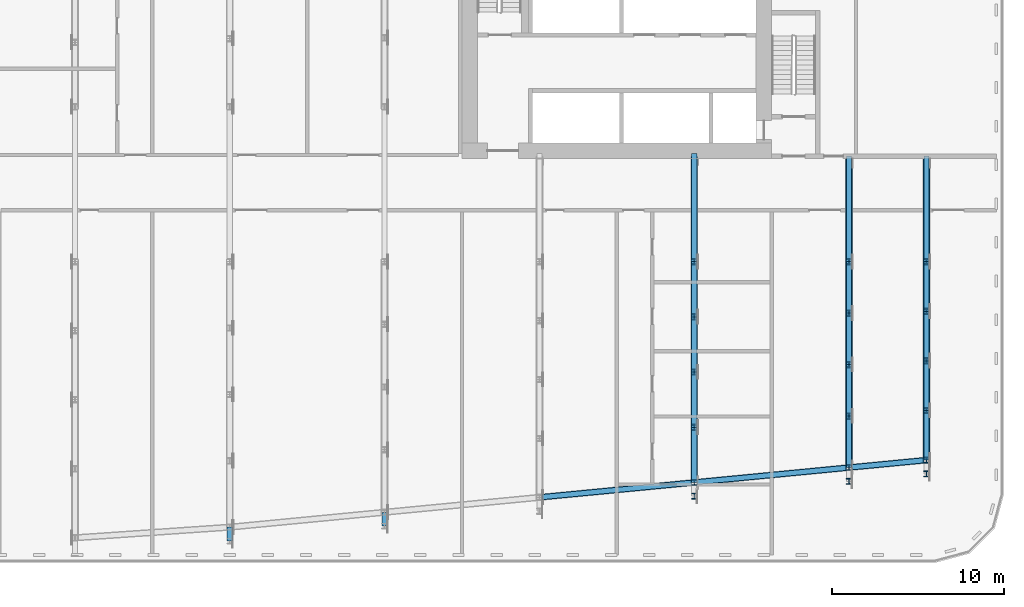
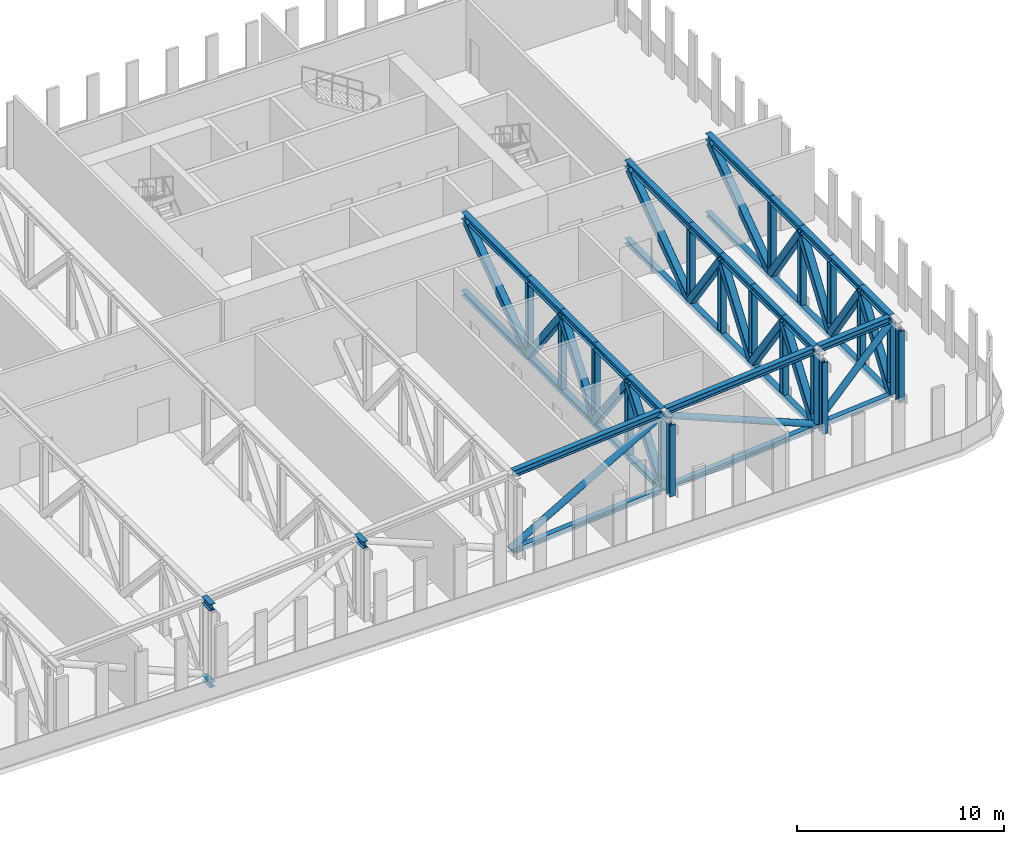
# One storey, part 4 of 22: 75 members.
"""IFC4 building model written with IfcOpenShell, lengths in metres."""

from ifc_helpers import new_model, si_unit, direction, frame, origin, origin_2d, place, context, subcontext, project, spatial, hollow_rectangle, hollow_circle, i_section, extrude, material, material_profile, profile_set, type_object, element, save


model = new_model("IFC4")

# Units and contexts
model_context = context("Model", 3, precision=1e-05, world=origin(), true_north=direction((0.0, 1.0)))
body_context = subcontext(model_context, "Body", "Model", "MODEL_VIEW")
ifc_project = project(units=[si_unit("LENGTHUNIT", "METRE"), si_unit("AREAUNIT", "SQUARE_METRE"), si_unit("VOLUMEUNIT", "CUBIC_METRE"), si_unit("PLANEANGLEUNIT", "RADIAN"), si_unit("MASSUNIT", "GRAM", prefix="KILO")], contexts=[model_context])

# Site, building, storey
site_placement = place(None, origin())
site = spatial("IfcSite", under=ifc_project, at=site_placement, CompositionType="ELEMENT")
building_placement = place(site_placement, origin())
building = spatial("IfcBuilding", under=site, at=building_placement, Name="Kajstack Hotel Tower", CompositionType="ELEMENT")
storey_placement = place(building_placement, frame((0.0, 0.0, 99.60009765625)))
storey = spatial("IfcBuildingStorey", under=building, at=storey_placement, Name="L21", CompositionType="ELEMENT", Elevation=99.60009765625)

# Members
ifc_material = material(Name="Steel S355J2", Category="steel")
ifc_material_profile_1 = material_profile(ifc_material, i_section(OverallWidth=0.300048828125, OverallDepth=0.300048828125, WebThickness=0.010986328125, FlangeThickness=0.01904296875, FilletRadius=0.027099609375, at=origin_2d()), Name="HEB 300")
ifc_profile_set_1 = profile_set([ifc_material_profile_1], Name="Steel S355J2")
member_type_1 = type_object("IfcMemberType", Name="Belt truss bottom chord BB2 HEB 300", PredefinedType="CHORD", material=ifc_profile_set_1)
for number, where, z_axis, x_axis, name in (
    (1, (18.1494140625, -18.184814453125, -0.150146484375), (0.995398174412, 0.095825228294, 0.0), (-0.095825228294, 0.995398174412, 0.0), "S-belt-truss-L21-s07-b"),
    (2, (27.1494140625, -17.318359375, -0.150146484375), (0.995395510024, 0.095852900965, 0.0), (-0.095852900965, 0.995395510024, 0.0), "S-belt-truss-L21-s08-b"),
):
    element("IfcMember", number, at=place(storey_placement, frame(where, z_axis=z_axis, x_axis=x_axis)), inside=storey, type_object=member_type_1, Name=name, PredefinedType="CHORD", context=body_context, shape_type="SweptSolid", body=[
        extrude(i_section(OverallWidth=0.300048828125, OverallDepth=0.300048828125, WebThickness=0.010986328125, FlangeThickness=0.01904296875, FilletRadius=0.027099609375, at=origin_2d()), origin(), (0.0, 0.0, 1.0), 8.741455078125),
    ])
member_1_placement = place(storey_placement, frame((36.1494140625, -16.45166015625, -0.150146484375), z_axis=(0.995395877955, 0.095849080066, 0.0), x_axis=(-0.095849080066, 0.995395877955, 0.0)))
element("IfcMember", 3, at=member_1_placement, inside=storey, type_object=member_type_1, Name="S-belt-truss-L21-s09-b", PredefinedType="CHORD", context=body_context, shape_type="SweptSolid", body=[
    extrude(i_section(OverallWidth=0.300048828125, OverallDepth=0.300048828125, WebThickness=0.010986328125, FlangeThickness=0.01904296875, FilletRadius=0.027099609375, at=origin_2d()), origin(), (0.0, 0.0, 1.0), 4.220703125),
])
ifc_material_profile_2 = material_profile(ifc_material, i_section(OverallWidth=0.300048828125, OverallDepth=0.300048828125, WebThickness=0.010986328125, FlangeThickness=0.01904296875, FilletRadius=0.027099609375, at=origin_2d()), Name="HEB 300")
ifc_profile_set_2 = profile_set([ifc_material_profile_2], Name="Steel S355J2")
member_type_2 = type_object("IfcMemberType", Name="Belt truss bottom chord BC2 HEB 300", PredefinedType="CHORD", material=ifc_profile_set_2)
member_2_placement = place(storey_placement, frame((0.0, -20.732421875, -0.150146484375), z_axis=(0.0, 1.0, 0.0), x_axis=(-1.0, 0.0, 0.0)))
element("IfcMember", 4, at=member_2_placement, inside=storey, type_object=member_type_2, Name="S-belt-truss-L21-+0p0-1-bc12", PredefinedType="CHORD", context=body_context, shape_type="SweptSolid", body=[
    extrude(i_section(OverallWidth=0.300048828125, OverallDepth=0.300048828125, WebThickness=0.010986328125, FlangeThickness=0.01904296875, FilletRadius=0.027099609375, at=origin_2d()), origin(), (0.0, 0.0, 1.0), 0.7998046875),
])
for number, where, z_axis, x_axis, name in (
    (5, (27.0, -17.332763671875, -0.150146484375), (0.0, 1.0, 0.0), (-1.0, 0.0, 0.0), "S-outrigger-truss-L21-+27p0-1-bc8"),
    (6, (27.0, -14.12451171875, -0.150146484375), (0.0, 1.0, 0.0), (-1.0, 0.0, 0.0), "S-outrigger-truss-L21-+27p0-1-bc9"),
):
    element("IfcMember", number, at=place(storey_placement, frame(where, z_axis=z_axis, x_axis=x_axis)), inside=storey, type_object=member_type_2, Name=name, PredefinedType="CHORD", context=body_context, shape_type="SweptSolid", body=[
        extrude(i_section(OverallWidth=0.300048828125, OverallDepth=0.300048828125, WebThickness=0.010986328125, FlangeThickness=0.01904296875, FilletRadius=0.027099609375, at=origin_2d()), origin(), (0.0, 0.0, 1.0), 3.208251953125),
    ])
member_3_placement = place(storey_placement, frame((27.0, -10.916259765625, -0.150146484375), z_axis=(0.0, 1.0, 0.0), x_axis=(-1.0, 0.0, 0.0)))
element("IfcMember", 7, at=member_3_placement, inside=storey, type_object=member_type_2, Name="S-outrigger-truss-L21-+27p0-1-bc10", PredefinedType="CHORD", context=body_context, shape_type="SweptSolid", body=[
    extrude(i_section(OverallWidth=0.300048828125, OverallDepth=0.300048828125, WebThickness=0.010986328125, FlangeThickness=0.01904296875, FilletRadius=0.027099609375, at=origin_2d()), origin(), (0.0, 0.0, 1.0), 3.2080078125),
])
member_4_placement = place(storey_placement, frame((27.0, -7.708251953125, -0.150146484375), z_axis=(0.0, 1.0, 0.0), x_axis=(-1.0, 0.0, 0.0)))
element("IfcMember", 8, at=member_4_placement, inside=storey, type_object=member_type_2, Name="S-outrigger-truss-L21-+27p0-1-bc11", PredefinedType="CHORD", context=body_context, shape_type="SweptSolid", body=[
    extrude(i_section(OverallWidth=0.300048828125, OverallDepth=0.300048828125, WebThickness=0.010986328125, FlangeThickness=0.01904296875, FilletRadius=0.027099609375, at=origin_2d()), origin(), (0.0, 0.0, 1.0), 3.208251953125),
])
member_5_placement = place(storey_placement, frame((27.0, -4.5, -0.150146484375), z_axis=(0.0, 1.0, 0.0), x_axis=(-1.0, 0.0, 0.0)))
element("IfcMember", 9, at=member_5_placement, inside=storey, type_object=member_type_2, Name="S-outrigger-truss-L21-+27p0-1-bc12", PredefinedType="CHORD", context=body_context, shape_type="SweptSolid", body=[
    extrude(i_section(OverallWidth=0.300048828125, OverallDepth=0.300048828125, WebThickness=0.010986328125, FlangeThickness=0.01904296875, FilletRadius=0.027099609375, at=origin_2d()), origin(), (0.0, 0.0, 1.0), 6.300048828125),
])
for number, where, z_axis, x_axis, name in (
    (10, (36.0, -16.466064453125, -0.150146484375), (0.0, 1.0, 0.0), (-1.0, 0.0, 0.0), "S-belt-truss-L21-+36p0-1-bc8"),
    (11, (36.0, -13.474609375, -0.150146484375), (0.0, 1.0, 0.0), (-1.0, 0.0, 0.0), "S-belt-truss-L21-+36p0-1-bc9"),
):
    element("IfcMember", number, at=place(storey_placement, frame(where, z_axis=z_axis, x_axis=x_axis)), inside=storey, type_object=member_type_2, Name=name, PredefinedType="CHORD", context=body_context, shape_type="SweptSolid", body=[
        extrude(i_section(OverallWidth=0.300048828125, OverallDepth=0.300048828125, WebThickness=0.010986328125, FlangeThickness=0.01904296875, FilletRadius=0.027099609375, at=origin_2d()), origin(), (0.0, 0.0, 1.0), 2.991455078125),
    ])
member_6_placement = place(storey_placement, frame((36.0, -10.483154296875, -0.150146484375), z_axis=(0.0, 1.0, 0.0), x_axis=(-1.0, 0.0, 0.0)))
element("IfcMember", 12, at=member_6_placement, inside=storey, type_object=member_type_2, Name="S-belt-truss-L21-+36p0-1-bc10", PredefinedType="CHORD", context=body_context, shape_type="SweptSolid", body=[
    extrude(i_section(OverallWidth=0.300048828125, OverallDepth=0.300048828125, WebThickness=0.010986328125, FlangeThickness=0.01904296875, FilletRadius=0.027099609375, at=origin_2d()), origin(), (0.0, 0.0, 1.0), 2.99169921875),
])
member_7_placement = place(storey_placement, frame((36.0, -7.491455078125, -0.150146484375), z_axis=(0.0, 1.0, 0.0), x_axis=(-1.0, 0.0, 0.0)))
element("IfcMember", 13, at=member_7_placement, inside=storey, type_object=member_type_2, Name="S-belt-truss-L21-+36p0-1-bc11", PredefinedType="CHORD", context=body_context, shape_type="SweptSolid", body=[
    extrude(i_section(OverallWidth=0.300048828125, OverallDepth=0.300048828125, WebThickness=0.010986328125, FlangeThickness=0.01904296875, FilletRadius=0.027099609375, at=origin_2d()), origin(), (0.0, 0.0, 1.0), 2.991455078125),
])
member_8_placement = place(storey_placement, frame((36.0, -4.5, -0.150146484375), z_axis=(0.0, 1.0, 0.0), x_axis=(-1.0, 0.0, 0.0)))
element("IfcMember", 14, at=member_8_placement, inside=storey, type_object=member_type_2, Name="S-belt-truss-L21-+36p0-1-bc12", PredefinedType="CHORD", context=body_context, shape_type="SweptSolid", body=[
    extrude(i_section(OverallWidth=0.300048828125, OverallDepth=0.300048828125, WebThickness=0.010986328125, FlangeThickness=0.01904296875, FilletRadius=0.027099609375, at=origin_2d()), origin(), (0.0, 0.0, 1.0), 6.14990234375),
])
member_9_placement = place(storey_placement, frame((40.5, -16.03271484375, -0.150146484375), z_axis=(0.0, 1.0, 0.0), x_axis=(-1.0, 0.0, 0.0)))
element("IfcMember", 15, at=member_9_placement, inside=storey, type_object=member_type_2, Name="S-belt-truss-L21-+40p5-1-bc8", PredefinedType="CHORD", context=body_context, shape_type="SweptSolid", body=[
    extrude(i_section(OverallWidth=0.300048828125, OverallDepth=0.300048828125, WebThickness=0.010986328125, FlangeThickness=0.01904296875, FilletRadius=0.027099609375, at=origin_2d()), origin(), (0.0, 0.0, 1.0), 2.883056640625),
])
member_10_placement = place(storey_placement, frame((40.5, -13.149658203125, -0.150146484375), z_axis=(0.0, 1.0, 0.0), x_axis=(-1.0, 0.0, 0.0)))
element("IfcMember", 16, at=member_10_placement, inside=storey, type_object=member_type_2, Name="S-belt-truss-L21-+40p5-1-bc9", PredefinedType="CHORD", context=body_context, shape_type="SweptSolid", body=[
    extrude(i_section(OverallWidth=0.300048828125, OverallDepth=0.300048828125, WebThickness=0.010986328125, FlangeThickness=0.01904296875, FilletRadius=0.027099609375, at=origin_2d()), origin(), (0.0, 0.0, 1.0), 2.88330078125),
])
member_11_placement = place(storey_placement, frame((40.5, -10.266357421875, -0.150146484375), z_axis=(0.0, 1.0, 0.0), x_axis=(-1.0, 0.0, 0.0)))
element("IfcMember", 17, at=member_11_placement, inside=storey, type_object=member_type_2, Name="S-belt-truss-L21-+40p5-1-bc10", PredefinedType="CHORD", context=body_context, shape_type="SweptSolid", body=[
    extrude(i_section(OverallWidth=0.300048828125, OverallDepth=0.300048828125, WebThickness=0.010986328125, FlangeThickness=0.01904296875, FilletRadius=0.027099609375, at=origin_2d()), origin(), (0.0, 0.0, 1.0), 2.883056640625),
])
member_12_placement = place(storey_placement, frame((40.5, -7.38330078125, -0.150146484375), z_axis=(0.0, 1.0, 0.0), x_axis=(-1.0, 0.0, 0.0)))
element("IfcMember", 18, at=member_12_placement, inside=storey, type_object=member_type_2, Name="S-belt-truss-L21-+40p5-1-bc11", PredefinedType="CHORD", context=body_context, shape_type="SweptSolid", body=[
    extrude(i_section(OverallWidth=0.300048828125, OverallDepth=0.300048828125, WebThickness=0.010986328125, FlangeThickness=0.01904296875, FilletRadius=0.027099609375, at=origin_2d()), origin(), (0.0, 0.0, 1.0), 2.88330078125),
])
member_13_placement = place(storey_placement, frame((40.5, -4.5, -0.150146484375), z_axis=(0.0, 1.0, 0.0), x_axis=(-1.0, 0.0, 0.0)))
element("IfcMember", 19, at=member_13_placement, inside=storey, type_object=member_type_2, Name="S-belt-truss-L21-+40p5-1-bc12", PredefinedType="CHORD", context=body_context, shape_type="SweptSolid", body=[
    extrude(i_section(OverallWidth=0.300048828125, OverallDepth=0.300048828125, WebThickness=0.010986328125, FlangeThickness=0.01904296875, FilletRadius=0.027099609375, at=origin_2d()), origin(), (0.0, 0.0, 1.0), 6.14990234375),
])
ifc_material_profile_3 = material_profile(ifc_material, hollow_circle(Radius=0.177734375, WallThickness=0.01611328125, at=origin_2d()), Name="CHS 355.6x16")
ifc_profile_set_3 = profile_set([ifc_material_profile_3], Name="Steel S355J2")
member_type_3 = type_object("IfcMemberType", Name="Belt truss diagonal BD2 CHS 355.6x16", PredefinedType="BRACE", material=ifc_profile_set_3)
for number, where, z_axis, x_axis, name in (
    (20, (18.0, -18.19921875, 0.0), (0.902374040781, 0.086874063334, 0.422106606967), (-0.095829714309, 0.995397742541, 0.0), "S-belt-truss-L21-s07-d"),
    (21, (36.0, -16.466064453125, 0.0), (-0.902372121579, -0.086898356977, 0.422105709215), (0.095856468129, -0.995395166513, 0.0), "S-belt-truss-L21-s08-d"),
):
    element("IfcMember", number, at=place(storey_placement, frame(where, z_axis=z_axis, x_axis=x_axis)), inside=storey, type_object=member_type_3, Name=name, PredefinedType="BRACE", context=body_context, shape_type="SweptSolid", body=[
        extrude(hollow_circle(Radius=0.177734375, WallThickness=0.01611328125, at=origin_2d()), origin(), (0.0, 0.0, 1.0), 9.9736328125),
    ])
member_14_placement = place(storey_placement, frame((36.0, -16.466064453125, 0.0), z_axis=(0.728449478794, 0.070149621574, 0.681498633481), x_axis=(-0.095856468129, 0.995395166513, 0.0)))
element("IfcMember", 22, at=member_14_placement, inside=storey, type_object=member_type_3, Name="S-belt-truss-L21-s09-d", PredefinedType="BRACE", context=body_context, shape_type="SweptSolid", body=[
    extrude(hollow_circle(Radius=0.177734375, WallThickness=0.01611328125, at=origin_2d()), origin(), (0.0, 0.0, 1.0), 6.177490234375),
])
ifc_material_profile_4 = material_profile(ifc_material, hollow_rectangle(XDim=0.39990234375, YDim=0.39990234375, WallThickness=0.02001953125, InnerFilletRadius=0.02001953125, OuterFilletRadius=0.030029296875, at=origin_2d()), Name="SHS 400x400x20")
ifc_profile_set_4 = profile_set([ifc_material_profile_4], Name="Steel S355J2")
member_type_4 = type_object("IfcMemberType", Name="Belt truss diagonal DG2 SHS 400x400x20", PredefinedType="BRACE", material=ifc_profile_set_4)
for number, where, z_axis, x_axis, name in (
    (23, (27.0, -17.332763671875, 0.0), (0.0, 0.606122424683, 0.795371363765), (-1.0, 0.0, 0.0), "S-outrigger-truss-L21-+27p0-1-dg19"),
    (24, (27.0, -10.916259765625, 0.0), (0.0, -0.606122424683, 0.795371363765), (1.0, 0.0, 0.0), "S-outrigger-truss-L21-+27p0-1-dg20"),
    (25, (27.0, -10.916259765625, 0.0), (0.0, 0.606093244363, 0.795393600136), (-1.0, 0.0, 0.0), "S-outrigger-truss-L21-+27p0-1-dg21"),
    (26, (27.0, -4.5, 0.0), (0.0, -0.606122424683, 0.795371363765), (1.0, 0.0, 0.0), "S-outrigger-truss-L21-+27p0-1-dg22"),
):
    element("IfcMember", number, at=place(storey_placement, frame(where, z_axis=z_axis, x_axis=x_axis)), inside=storey, type_object=member_type_4, Name=name, PredefinedType="BRACE", context=body_context, shape_type="SweptSolid", body=[
        extrude(hollow_rectangle(XDim=0.39990234375, YDim=0.39990234375, WallThickness=0.02001953125, InnerFilletRadius=0.02001953125, OuterFilletRadius=0.030029296875, at=origin_2d()), origin(), (0.0, 0.0, 1.0), 5.29296875),
    ])
member_15_placement = place(storey_placement, frame((27.0, -4.5, 0.0), z_axis=(0.0, 0.818592960078, 0.574374064274), x_axis=(-1.0, 0.0, 0.0)))
element("IfcMember", 27, at=member_15_placement, inside=storey, type_object=member_type_4, Name="S-outrigger-truss-L21-+27p0-1-dg23", PredefinedType="BRACE", context=body_context, shape_type="SweptSolid", body=[
    extrude(hollow_rectangle(XDim=0.39990234375, YDim=0.39990234375, WallThickness=0.02001953125, InnerFilletRadius=0.02001953125, OuterFilletRadius=0.030029296875, at=origin_2d()), origin(), (0.0, 0.0, 1.0), 7.32958984375),
])
for number, where, z_axis, x_axis, name in (
    (28, (36.0, -16.466064453125, 0.0), (0.0, 0.579228625372, 0.815165136368), (-1.0, 0.0, 0.0), "S-belt-truss-L21-+36p0-1-dg19"),
    (29, (36.0, -10.483154296875, 0.0), (0.0, -0.579228625372, 0.815165136368), (1.0, 0.0, 0.0), "S-belt-truss-L21-+36p0-1-dg20"),
):
    element("IfcMember", number, at=place(storey_placement, frame(where, z_axis=z_axis, x_axis=x_axis)), inside=storey, type_object=member_type_4, Name=name, PredefinedType="BRACE", context=body_context, shape_type="SweptSolid", body=[
        extrude(hollow_rectangle(XDim=0.39990234375, YDim=0.39990234375, WallThickness=0.02001953125, InnerFilletRadius=0.02001953125, OuterFilletRadius=0.030029296875, at=origin_2d()), origin(), (0.0, 0.0, 1.0), 5.16455078125),
    ])
member_16_placement = place(storey_placement, frame((36.0, -10.483154296875, 0.0), z_axis=(0.0, 0.579260036313, 0.815142815911), x_axis=(-1.0, 0.0, 0.0)))
element("IfcMember", 30, at=member_16_placement, inside=storey, type_object=member_type_4, Name="S-belt-truss-L21-+36p0-1-dg21", PredefinedType="BRACE", context=body_context, shape_type="SweptSolid", body=[
    extrude(hollow_rectangle(XDim=0.39990234375, YDim=0.39990234375, WallThickness=0.02001953125, InnerFilletRadius=0.02001953125, OuterFilletRadius=0.030029296875, at=origin_2d()), origin(), (0.0, 0.0, 1.0), 5.164794921875),
])
member_17_placement = place(storey_placement, frame((36.0, -4.5, 0.0), z_axis=(0.0, -0.579228625372, 0.815165136368), x_axis=(1.0, 0.0, 0.0)))
element("IfcMember", 31, at=member_17_placement, inside=storey, type_object=member_type_4, Name="S-belt-truss-L21-+36p0-1-dg22", PredefinedType="BRACE", context=body_context, shape_type="SweptSolid", body=[
    extrude(hollow_rectangle(XDim=0.39990234375, YDim=0.39990234375, WallThickness=0.02001953125, InnerFilletRadius=0.02001953125, OuterFilletRadius=0.030029296875, at=origin_2d()), origin(), (0.0, 0.0, 1.0), 5.16455078125),
])
member_18_placement = place(storey_placement, frame((36.0, -4.5, 0.0), z_axis=(0.0, 0.811673095765, 0.584111963249), x_axis=(-1.0, 0.0, 0.0)))
element("IfcMember", 32, at=member_18_placement, inside=storey, type_object=member_type_4, Name="S-belt-truss-L21-+36p0-1-dg23", PredefinedType="BRACE", context=body_context, shape_type="SweptSolid", body=[
    extrude(hollow_rectangle(XDim=0.39990234375, YDim=0.39990234375, WallThickness=0.02001953125, InnerFilletRadius=0.02001953125, OuterFilletRadius=0.030029296875, at=origin_2d()), origin(), (0.0, 0.0, 1.0), 7.20751953125),
])
member_19_placement = place(storey_placement, frame((40.5, -16.03271484375, 0.0), z_axis=(0.0, 0.565025205978, 0.825073643143), x_axis=(-1.0, 0.0, 0.0)))
element("IfcMember", 33, at=member_19_placement, inside=storey, type_object=member_type_4, Name="S-belt-truss-L21-+40p5-1-dg19", PredefinedType="BRACE", context=body_context, shape_type="SweptSolid", body=[
    extrude(hollow_rectangle(XDim=0.39990234375, YDim=0.39990234375, WallThickness=0.02001953125, InnerFilletRadius=0.02001953125, OuterFilletRadius=0.030029296875, at=origin_2d()), origin(), (0.0, 0.0, 1.0), 5.1025390625),
])
member_20_placement = place(storey_placement, frame((40.5, -10.266357421875, 0.0), z_axis=(0.0, -0.565057776334, 0.825051337435), x_axis=(1.0, 0.0, 0.0)))
element("IfcMember", 34, at=member_20_placement, inside=storey, type_object=member_type_4, Name="S-belt-truss-L21-+40p5-1-dg20", PredefinedType="BRACE", context=body_context, shape_type="SweptSolid", body=[
    extrude(hollow_rectangle(XDim=0.39990234375, YDim=0.39990234375, WallThickness=0.02001953125, InnerFilletRadius=0.02001953125, OuterFilletRadius=0.030029296875, at=origin_2d()), origin(), (0.0, 0.0, 1.0), 5.102783203125),
])
member_21_placement = place(storey_placement, frame((40.5, -10.266357421875, 0.0), z_axis=(0.0, 0.565025205978, 0.825073643143), x_axis=(-1.0, 0.0, 0.0)))
element("IfcMember", 35, at=member_21_placement, inside=storey, type_object=member_type_4, Name="S-belt-truss-L21-+40p5-1-dg21", PredefinedType="BRACE", context=body_context, shape_type="SweptSolid", body=[
    extrude(hollow_rectangle(XDim=0.39990234375, YDim=0.39990234375, WallThickness=0.02001953125, InnerFilletRadius=0.02001953125, OuterFilletRadius=0.030029296875, at=origin_2d()), origin(), (0.0, 0.0, 1.0), 5.1025390625),
])
member_22_placement = place(storey_placement, frame((40.5, -4.5, 0.0), z_axis=(0.0, -0.565057776334, 0.825051337435), x_axis=(1.0, 0.0, 0.0)))
element("IfcMember", 36, at=member_22_placement, inside=storey, type_object=member_type_4, Name="S-belt-truss-L21-+40p5-1-dg22", PredefinedType="BRACE", context=body_context, shape_type="SweptSolid", body=[
    extrude(hollow_rectangle(XDim=0.39990234375, YDim=0.39990234375, WallThickness=0.02001953125, InnerFilletRadius=0.02001953125, OuterFilletRadius=0.030029296875, at=origin_2d()), origin(), (0.0, 0.0, 1.0), 5.102783203125),
])
member_23_placement = place(storey_placement, frame((40.5, -4.5, 0.0), z_axis=(0.0, 0.811673095765, 0.584111963249), x_axis=(-1.0, 0.0, 0.0)))
element("IfcMember", 37, at=member_23_placement, inside=storey, type_object=member_type_4, Name="S-belt-truss-L21-+40p5-1-dg23", PredefinedType="BRACE", context=body_context, shape_type="SweptSolid", body=[
    extrude(hollow_rectangle(XDim=0.39990234375, YDim=0.39990234375, WallThickness=0.02001953125, InnerFilletRadius=0.02001953125, OuterFilletRadius=0.030029296875, at=origin_2d()), origin(), (0.0, 0.0, 1.0), 7.20751953125),
])
ifc_material_profile_5 = material_profile(ifc_material, i_section(OverallWidth=0.31005859375, OverallDepth=0.340087890625, WebThickness=0.02099609375, FlangeThickness=0.0390625, FilletRadius=0.027099609375, at=origin_2d()), Name="HEM 300")
ifc_profile_set_5 = profile_set([ifc_material_profile_5], Name="Steel S355J2")
member_type_5 = type_object("IfcMemberType", Name="Belt truss post PO2 HEM 300", PredefinedType="POST", material=ifc_profile_set_5)
for number, where, z_axis, x_axis, name in (
    (38, (27.0, -18.1328125, 0.0), (0.0, 0.0, 1.0), (1.0, 0.0, 0.0), "S-outrigger-truss-L21-+27p0-1-po13"),
    (39, (27.0, -17.332763671875, 0.0), (0.0, 0.0, 1.0), (1.0, 0.0, 0.0), "S-outrigger-truss-L21-+27p0-1-po14"),
    (40, (27.0, -14.12451171875, 0.0), (0.0, 0.0, 1.0), (1.0, 0.0, 0.0), "S-outrigger-truss-L21-+27p0-1-po15"),
    (41, (27.0, -10.916259765625, 0.0), (0.0, 0.0, 1.0), (1.0, 0.0, 0.0), "S-outrigger-truss-L21-+27p0-1-po16"),
    (42, (27.0, -7.708251953125, 0.0), (0.0, 0.0, 1.0), (1.0, 0.0, 0.0), "S-outrigger-truss-L21-+27p0-1-po17"),
    (43, (27.0, -4.5, 0.0), (0.0, 0.0, 1.0), (1.0, 0.0, 0.0), "S-outrigger-truss-L21-+27p0-1-po18"),
    (44, (36.0, -17.26611328125, 0.0), (0.0, 0.0, 1.0), (1.0, 0.0, 0.0), "S-belt-truss-L21-+36p0-1-po13"),
    (45, (36.0, -16.466064453125, 0.0), (0.0, 0.0, 1.0), (1.0, 0.0, 0.0), "S-belt-truss-L21-+36p0-1-po14"),
    (46, (36.0, -13.474609375, 0.0), (0.0, 0.0, 1.0), (1.0, 0.0, 0.0), "S-belt-truss-L21-+36p0-1-po15"),
    (47, (36.0, -10.483154296875, 0.0), (0.0, 0.0, 1.0), (1.0, 0.0, 0.0), "S-belt-truss-L21-+36p0-1-po16"),
    (48, (36.0, -7.491455078125, 0.0), (0.0, 0.0, 1.0), (1.0, 0.0, 0.0), "S-belt-truss-L21-+36p0-1-po17"),
    (49, (36.0, -4.5, 0.0), (0.0, 0.0, 1.0), (1.0, 0.0, 0.0), "S-belt-truss-L21-+36p0-1-po18"),
    (50, (40.5, -16.832763671875, 0.0), (0.0, 0.0, 1.0), (1.0, 0.0, 0.0), "S-belt-truss-L21-+40p5-1-po13"),
    (51, (40.5, -16.03271484375, 0.0), (0.0, 0.0, 1.0), (1.0, 0.0, 0.0), "S-belt-truss-L21-+40p5-1-po14"),
    (52, (40.5, -13.149658203125, 0.0), (0.0, 0.0, 1.0), (1.0, 0.0, 0.0), "S-belt-truss-L21-+40p5-1-po15"),
    (53, (40.5, -10.266357421875, 0.0), (0.0, 0.0, 1.0), (1.0, 0.0, 0.0), "S-belt-truss-L21-+40p5-1-po16"),
    (54, (40.5, -7.38330078125, 0.0), (0.0, 0.0, 1.0), (1.0, 0.0, 0.0), "S-belt-truss-L21-+40p5-1-po17"),
    (55, (40.5, -4.5, 0.0), (0.0, 0.0, 1.0), (1.0, 0.0, 0.0), "S-belt-truss-L21-+40p5-1-po18"),
):
    element("IfcMember", number, at=place(storey_placement, frame(where, z_axis=z_axis, x_axis=x_axis)), inside=storey, type_object=member_type_5, Name=name, PredefinedType="POST", context=body_context, shape_type="SweptSolid", body=[
        extrude(i_section(OverallWidth=0.31005859375, OverallDepth=0.340087890625, WebThickness=0.02099609375, FlangeThickness=0.0390625, FilletRadius=0.027099609375, at=origin_2d()), origin(), (0.0, 0.0, 1.0), 4.2099609375),
    ])
ifc_material_profile_6 = material_profile(ifc_material, i_section(OverallWidth=0.300048828125, OverallDepth=0.389892578125, WebThickness=0.010986328125, FlangeThickness=0.01904296875, FilletRadius=0.027099609375, at=origin_2d()), Name="HEA 400")
ifc_profile_set_6 = profile_set([ifc_material_profile_6], Name="Steel S355J2")
member_type_6 = type_object("IfcMemberType", Name="Belt truss top chord BT2 HEA 400", PredefinedType="CHORD", material=ifc_profile_set_6)
for number, where, z_axis, x_axis, name in (
    (56, (18.1494140625, -18.184814453125, 4.40478515625), (0.995398174412, 0.095825228294, 0.0), (-0.095825228294, 0.995398174412, 0.0), "S-belt-truss-L21-s07-t"),
    (57, (27.1494140625, -17.318359375, 4.40478515625), (0.995395510024, 0.095852900965, 0.0), (-0.095852900965, 0.995395510024, 0.0), "S-belt-truss-L21-s08-t"),
):
    element("IfcMember", number, at=place(storey_placement, frame(where, z_axis=z_axis, x_axis=x_axis)), inside=storey, type_object=member_type_6, Name=name, PredefinedType="CHORD", context=body_context, shape_type="SweptSolid", body=[
        extrude(i_section(OverallWidth=0.300048828125, OverallDepth=0.389892578125, WebThickness=0.010986328125, FlangeThickness=0.01904296875, FilletRadius=0.027099609375, at=origin_2d()), origin(), (0.0, 0.0, 1.0), 8.741455078125),
    ])
member_24_placement = place(storey_placement, frame((36.1494140625, -16.45166015625, 4.40478515625), z_axis=(0.995395877955, 0.095849080066, 0.0), x_axis=(-0.095849080066, 0.995395877955, 0.0)))
element("IfcMember", 58, at=member_24_placement, inside=storey, type_object=member_type_6, Name="S-belt-truss-L21-s09-t", PredefinedType="CHORD", context=body_context, shape_type="SweptSolid", body=[
    extrude(i_section(OverallWidth=0.300048828125, OverallDepth=0.389892578125, WebThickness=0.010986328125, FlangeThickness=0.01904296875, FilletRadius=0.027099609375, at=origin_2d()), origin(), (0.0, 0.0, 1.0), 4.220703125),
])
ifc_material_profile_7 = material_profile(ifc_material, i_section(OverallWidth=0.300048828125, OverallDepth=0.389892578125, WebThickness=0.010986328125, FlangeThickness=0.01904296875, FilletRadius=0.027099609375, at=origin_2d()), Name="HEA 400")
ifc_profile_set_7 = profile_set([ifc_material_profile_7], Name="Steel S355J2")
member_type_7 = type_object("IfcMemberType", Name="Belt truss top chord TC2 HEA 400", PredefinedType="CHORD", material=ifc_profile_set_7)
member_25_placement = place(storey_placement, frame((0.0, -20.732421875, 4.40478515625), z_axis=(0.0, 1.0, 0.0), x_axis=(-1.0, 0.0, 0.0)))
element("IfcMember", 59, at=member_25_placement, inside=storey, type_object=member_type_7, Name="S-belt-truss-L21-+0p0-1-tc1", PredefinedType="CHORD", context=body_context, shape_type="SweptSolid", body=[
    extrude(i_section(OverallWidth=0.300048828125, OverallDepth=0.389892578125, WebThickness=0.010986328125, FlangeThickness=0.01904296875, FilletRadius=0.027099609375, at=origin_2d()), origin(), (0.0, 0.0, 1.0), 0.7998046875),
])
member_26_placement = place(storey_placement, frame((9.0, -19.865966796875, 4.40478515625), z_axis=(0.0, 1.0, 0.0), x_axis=(-1.0, 0.0, 0.0)))
element("IfcMember", 60, at=member_26_placement, inside=storey, type_object=member_type_7, Name="S-belt-truss-L21-+9p0-1-tc1", PredefinedType="CHORD", context=body_context, shape_type="SweptSolid", body=[
    extrude(i_section(OverallWidth=0.300048828125, OverallDepth=0.389892578125, WebThickness=0.010986328125, FlangeThickness=0.01904296875, FilletRadius=0.027099609375, at=origin_2d()), origin(), (0.0, 0.0, 1.0), 0.800048828125),
])
for number, where, z_axis, x_axis, name in (
    (61, (27.0, -17.332763671875, 4.40478515625), (0.0, 1.0, 0.0), (-1.0, 0.0, 0.0), "S-outrigger-truss-L21-+27p0-1-tc2"),
    (62, (27.0, -14.12451171875, 4.40478515625), (0.0, 1.0, 0.0), (-1.0, 0.0, 0.0), "S-outrigger-truss-L21-+27p0-1-tc3"),
):
    element("IfcMember", number, at=place(storey_placement, frame(where, z_axis=z_axis, x_axis=x_axis)), inside=storey, type_object=member_type_7, Name=name, PredefinedType="CHORD", context=body_context, shape_type="SweptSolid", body=[
        extrude(i_section(OverallWidth=0.300048828125, OverallDepth=0.389892578125, WebThickness=0.010986328125, FlangeThickness=0.01904296875, FilletRadius=0.027099609375, at=origin_2d()), origin(), (0.0, 0.0, 1.0), 3.208251953125),
    ])
member_27_placement = place(storey_placement, frame((27.0, -10.916259765625, 4.40478515625), z_axis=(0.0, 1.0, 0.0), x_axis=(-1.0, 0.0, 0.0)))
element("IfcMember", 63, at=member_27_placement, inside=storey, type_object=member_type_7, Name="S-outrigger-truss-L21-+27p0-1-tc4", PredefinedType="CHORD", context=body_context, shape_type="SweptSolid", body=[
    extrude(i_section(OverallWidth=0.300048828125, OverallDepth=0.389892578125, WebThickness=0.010986328125, FlangeThickness=0.01904296875, FilletRadius=0.027099609375, at=origin_2d()), origin(), (0.0, 0.0, 1.0), 3.2080078125),
])
member_28_placement = place(storey_placement, frame((27.0, -7.708251953125, 4.40478515625), z_axis=(0.0, 1.0, 0.0), x_axis=(-1.0, 0.0, 0.0)))
element("IfcMember", 64, at=member_28_placement, inside=storey, type_object=member_type_7, Name="S-outrigger-truss-L21-+27p0-1-tc5", PredefinedType="CHORD", context=body_context, shape_type="SweptSolid", body=[
    extrude(i_section(OverallWidth=0.300048828125, OverallDepth=0.389892578125, WebThickness=0.010986328125, FlangeThickness=0.01904296875, FilletRadius=0.027099609375, at=origin_2d()), origin(), (0.0, 0.0, 1.0), 3.208251953125),
])
member_29_placement = place(storey_placement, frame((27.0, -4.5, 4.40478515625), z_axis=(0.0, 1.0, 0.0), x_axis=(-1.0, 0.0, 0.0)))
element("IfcMember", 65, at=member_29_placement, inside=storey, type_object=member_type_7, Name="S-outrigger-truss-L21-+27p0-1-tc6", PredefinedType="CHORD", context=body_context, shape_type="SweptSolid", body=[
    extrude(i_section(OverallWidth=0.300048828125, OverallDepth=0.389892578125, WebThickness=0.010986328125, FlangeThickness=0.01904296875, FilletRadius=0.027099609375, at=origin_2d()), origin(), (0.0, 0.0, 1.0), 6.300048828125),
])
for number, where, z_axis, x_axis, name in (
    (66, (36.0, -16.466064453125, 4.40478515625), (0.0, 1.0, 0.0), (-1.0, 0.0, 0.0), "S-belt-truss-L21-+36p0-1-tc2"),
    (67, (36.0, -13.474609375, 4.40478515625), (0.0, 1.0, 0.0), (-1.0, 0.0, 0.0), "S-belt-truss-L21-+36p0-1-tc3"),
):
    element("IfcMember", number, at=place(storey_placement, frame(where, z_axis=z_axis, x_axis=x_axis)), inside=storey, type_object=member_type_7, Name=name, PredefinedType="CHORD", context=body_context, shape_type="SweptSolid", body=[
        extrude(i_section(OverallWidth=0.300048828125, OverallDepth=0.389892578125, WebThickness=0.010986328125, FlangeThickness=0.01904296875, FilletRadius=0.027099609375, at=origin_2d()), origin(), (0.0, 0.0, 1.0), 2.991455078125),
    ])
member_30_placement = place(storey_placement, frame((36.0, -10.483154296875, 4.40478515625), z_axis=(0.0, 1.0, 0.0), x_axis=(-1.0, 0.0, 0.0)))
element("IfcMember", 68, at=member_30_placement, inside=storey, type_object=member_type_7, Name="S-belt-truss-L21-+36p0-1-tc4", PredefinedType="CHORD", context=body_context, shape_type="SweptSolid", body=[
    extrude(i_section(OverallWidth=0.300048828125, OverallDepth=0.389892578125, WebThickness=0.010986328125, FlangeThickness=0.01904296875, FilletRadius=0.027099609375, at=origin_2d()), origin(), (0.0, 0.0, 1.0), 2.99169921875),
])
member_31_placement = place(storey_placement, frame((36.0, -7.491455078125, 4.40478515625), z_axis=(0.0, 1.0, 0.0), x_axis=(-1.0, 0.0, 0.0)))
element("IfcMember", 69, at=member_31_placement, inside=storey, type_object=member_type_7, Name="S-belt-truss-L21-+36p0-1-tc5", PredefinedType="CHORD", context=body_context, shape_type="SweptSolid", body=[
    extrude(i_section(OverallWidth=0.300048828125, OverallDepth=0.389892578125, WebThickness=0.010986328125, FlangeThickness=0.01904296875, FilletRadius=0.027099609375, at=origin_2d()), origin(), (0.0, 0.0, 1.0), 2.991455078125),
])
member_32_placement = place(storey_placement, frame((36.0, -4.5, 4.40478515625), z_axis=(0.0, 1.0, 0.0), x_axis=(-1.0, 0.0, 0.0)))
element("IfcMember", 70, at=member_32_placement, inside=storey, type_object=member_type_7, Name="S-belt-truss-L21-+36p0-1-tc6", PredefinedType="CHORD", context=body_context, shape_type="SweptSolid", body=[
    extrude(i_section(OverallWidth=0.300048828125, OverallDepth=0.389892578125, WebThickness=0.010986328125, FlangeThickness=0.01904296875, FilletRadius=0.027099609375, at=origin_2d()), origin(), (0.0, 0.0, 1.0), 6.14990234375),
])
member_33_placement = place(storey_placement, frame((40.5, -16.03271484375, 4.40478515625), z_axis=(0.0, 1.0, 0.0), x_axis=(-1.0, 0.0, 0.0)))
element("IfcMember", 71, at=member_33_placement, inside=storey, type_object=member_type_7, Name="S-belt-truss-L21-+40p5-1-tc2", PredefinedType="CHORD", context=body_context, shape_type="SweptSolid", body=[
    extrude(i_section(OverallWidth=0.300048828125, OverallDepth=0.389892578125, WebThickness=0.010986328125, FlangeThickness=0.01904296875, FilletRadius=0.027099609375, at=origin_2d()), origin(), (0.0, 0.0, 1.0), 2.883056640625),
])
member_34_placement = place(storey_placement, frame((40.5, -13.149658203125, 4.40478515625), z_axis=(0.0, 1.0, 0.0), x_axis=(-1.0, 0.0, 0.0)))
element("IfcMember", 72, at=member_34_placement, inside=storey, type_object=member_type_7, Name="S-belt-truss-L21-+40p5-1-tc3", PredefinedType="CHORD", context=body_context, shape_type="SweptSolid", body=[
    extrude(i_section(OverallWidth=0.300048828125, OverallDepth=0.389892578125, WebThickness=0.010986328125, FlangeThickness=0.01904296875, FilletRadius=0.027099609375, at=origin_2d()), origin(), (0.0, 0.0, 1.0), 2.88330078125),
])
member_35_placement = place(storey_placement, frame((40.5, -10.266357421875, 4.40478515625), z_axis=(0.0, 1.0, 0.0), x_axis=(-1.0, 0.0, 0.0)))
element("IfcMember", 73, at=member_35_placement, inside=storey, type_object=member_type_7, Name="S-belt-truss-L21-+40p5-1-tc4", PredefinedType="CHORD", context=body_context, shape_type="SweptSolid", body=[
    extrude(i_section(OverallWidth=0.300048828125, OverallDepth=0.389892578125, WebThickness=0.010986328125, FlangeThickness=0.01904296875, FilletRadius=0.027099609375, at=origin_2d()), origin(), (0.0, 0.0, 1.0), 2.883056640625),
])
member_36_placement = place(storey_placement, frame((40.5, -7.38330078125, 4.40478515625), z_axis=(0.0, 1.0, 0.0), x_axis=(-1.0, 0.0, 0.0)))
element("IfcMember", 74, at=member_36_placement, inside=storey, type_object=member_type_7, Name="S-belt-truss-L21-+40p5-1-tc5", PredefinedType="CHORD", context=body_context, shape_type="SweptSolid", body=[
    extrude(i_section(OverallWidth=0.300048828125, OverallDepth=0.389892578125, WebThickness=0.010986328125, FlangeThickness=0.01904296875, FilletRadius=0.027099609375, at=origin_2d()), origin(), (0.0, 0.0, 1.0), 2.88330078125),
])
member_37_placement = place(storey_placement, frame((40.5, -4.5, 4.40478515625), z_axis=(0.0, 1.0, 0.0), x_axis=(-1.0, 0.0, 0.0)))
element("IfcMember", 75, at=member_37_placement, inside=storey, type_object=member_type_7, Name="S-belt-truss-L21-+40p5-1-tc6", PredefinedType="CHORD", context=body_context, shape_type="SweptSolid", body=[
    extrude(i_section(OverallWidth=0.300048828125, OverallDepth=0.389892578125, WebThickness=0.010986328125, FlangeThickness=0.01904296875, FilletRadius=0.027099609375, at=origin_2d()), origin(), (0.0, 0.0, 1.0), 6.14990234375),
])

save(model, "model.ifc")
